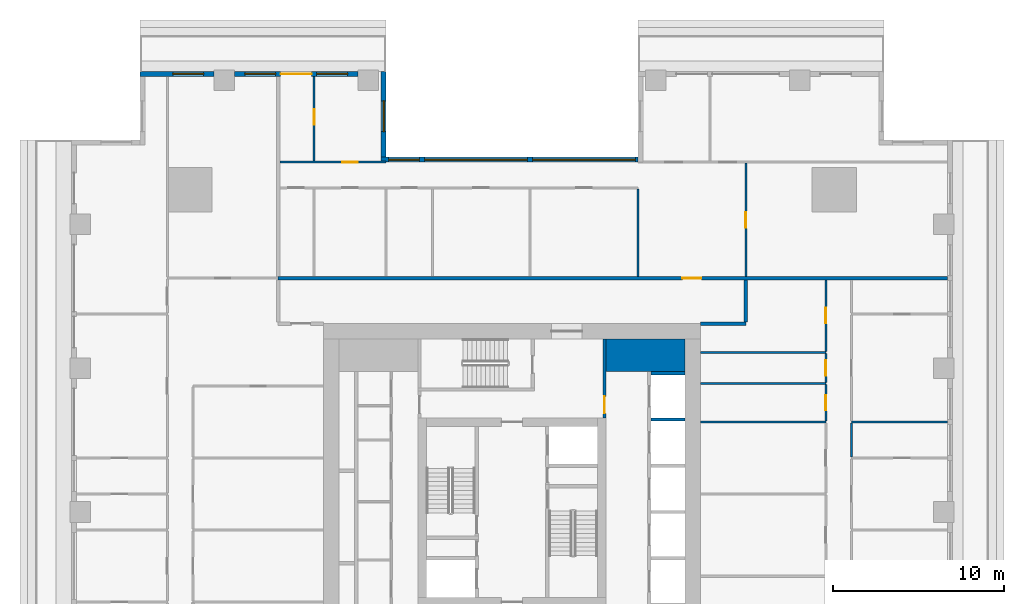
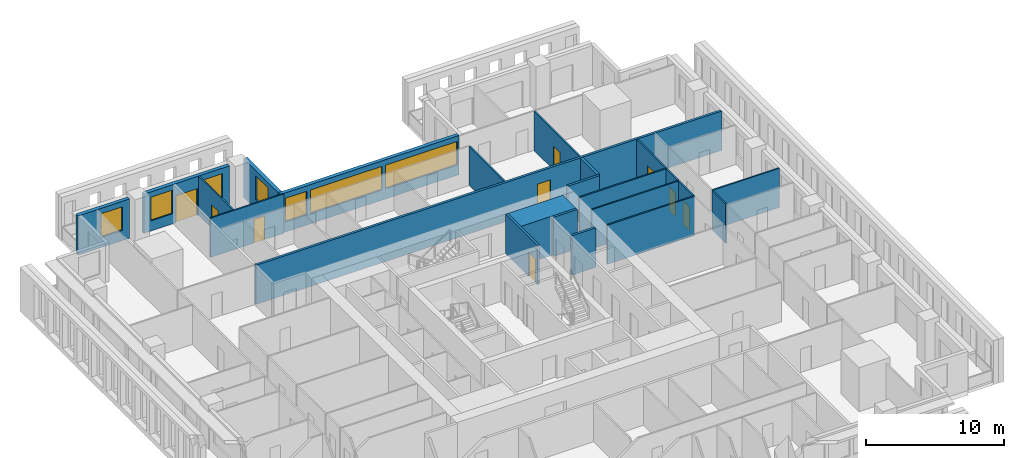
# One storey, part 8 of 16: 23 walls, 9 doors, 7 windows, 16 openings.
"""IFC4 building model written with IfcOpenShell, lengths in metres."""

from ifc_helpers import new_model, si_unit, direction, frame, frame_2d, origin, place, context, subcontext, project, spatial, rectangle, extrude, material, layer, layer_set, type_object, element, fill, save


model = new_model("IFC4")

# Units and contexts
model_context = context("Model", 3, precision=1e-05, world=origin(), true_north=direction((0.0, 1.0)))
body_context = subcontext(model_context, "Body", "Model", "MODEL_VIEW")
ifc_project = project(units=[si_unit("LENGTHUNIT", "METRE"), si_unit("AREAUNIT", "SQUARE_METRE"), si_unit("VOLUMEUNIT", "CUBIC_METRE"), si_unit("PLANEANGLEUNIT", "RADIAN"), si_unit("MASSUNIT", "GRAM", prefix="KILO")], contexts=[model_context])

# Site, building, storey
site_placement = place(None, origin())
site = spatial("IfcSite", under=ifc_project, at=site_placement, CompositionType="ELEMENT")
building_placement = place(site_placement, origin())
building = spatial("IfcBuilding", under=site, at=building_placement, Name="Khepri Terraces", CompositionType="ELEMENT")
storey_placement = place(building_placement, frame((0.0, 0.0, 153.300048828125)))
storey = spatial("IfcBuildingStorey", under=building, at=storey_placement, Name="L36", CompositionType="ELEMENT", Elevation=153.300048828125)

# Walls
ifc_material_1 = material(Name="Concrete C60/75", Category="concrete")
ifc_layer_1 = layer(ifc_material_1, 1.89990234375, Name="Concrete C60/75", Category="concrete")
ifc_layer_set_1 = layer_set([ifc_layer_1], Name="Concrete C60/75")
wall_type_1 = type_object("IfcWallType", Name="Core wall 1900 C60/75", PredefinedType="SHEAR", material=ifc_layer_set_1)
wall_1_placement = place(storey_placement, frame((5.5, 9.14990234375, 0.0), z_axis=(0.0, 0.0, 1.0), x_axis=(1.0, 0.0, 0.0)))
element("IfcWall", 1, at=wall_1_placement, inside=storey, type_object=wall_type_1, Name="Core wall PR04 L36", PredefinedType="SHEAR", context=body_context, shape_type="SweptSolid", body=[
    extrude(rectangle(XDim=4.60009765625, YDim=1.89990234375, at=frame_2d((2.300048828125, 0.0))), origin(), (0.0, 0.0, 1.0), 3.47998046875),
])
ifc_layer_2 = layer(ifc_material_1, 0.199951171875, Name="Concrete C60/75", Category="concrete")
ifc_layer_set_2 = layer_set([ifc_layer_2], Name="Concrete C60/75")
wall_type_2 = type_object("IfcWallType", Name="Core wall 200 C60/75", PredefinedType="SHEAR", material=ifc_layer_set_2)
for number, where, z_axis, x_axis, name in (
    (2, (8.10009765625, 5.39990234375, 0.0), (0.0, 0.0, 1.0), (1.0, 0.0, 0.0), "Core wall SH14 L36"),
    (3, (8.10009765625, 8.10009765625, 0.0), (0.0, 0.0, 1.0), (1.0, 0.0, 0.0), "Core wall SH15 L36"),
):
    element("IfcWall", number, at=place(storey_placement, frame(where, z_axis=z_axis, x_axis=x_axis)), inside=storey, type_object=wall_type_2, Name=name, PredefinedType="SHEAR", context=body_context, shape_type="SweptSolid", body=[
        extrude(rectangle(XDim=2.0, YDim=0.199951171875, at=frame_2d((1.0, 0.0))), origin(), (0.0, 0.0, 1.0), 3.47998046875),
    ])

# Wall, opening, door
ifc_material_2 = material(Name="Fire-rated gypsum board partition")
ifc_layer_3 = layer(ifc_material_2, 0.199951171875, Name="Fire-rated gypsum board partition")
ifc_layer_set_3 = layer_set([ifc_layer_3], Name="Fire-rated gypsum board partition")
wall_type_3 = type_object("IfcWallType", Name="WL-CORE-PART-200", PredefinedType="PARTITIONING", material=ifc_layer_set_3)
wall_2_placement = place(storey_placement, frame((5.39990234375, 5.5, 0.0), z_axis=(0.0, 0.0, 1.0), x_axis=(0.0, 1.0, 0.0)))
wall_2 = element("IfcWall", 4, at=wall_2_placement, inside=storey, type_object=wall_type_3, Name="Core partition PT13 L36", PredefinedType="PARTITIONING", context=body_context, shape_type="SweptSolid", body=[
    extrude(rectangle(XDim=4.60009765625, YDim=0.199951171875, at=frame_2d((2.300048828125, 0.0))), origin(), (0.0, 0.0, 1.0), 3.47998046875),
])
opening_1_placement = place(wall_2_placement, frame((0.25, 0.0, 0.0)))
opening_1 = element("IfcOpeningElement", 5, at=opening_1_placement, cuts=wall_2, Name="Opening L36-C17", PredefinedType="OPENING", context=body_context, shape_type="SweptSolid", body=[
    extrude(rectangle(XDim=1.0, YDim=2.10009765625, at=frame_2d((0.5, 1.050048828125))), frame((0.0, 0.10986328125, 0.0), z_axis=(0.0, -1.0, 0.0), x_axis=(1.0, 0.0, 0.0)), (0.0, 0.0, 1.0), 0.219970703125),
])
ifc_material_3 = material(Name="Painted steel", Category="steel")
door_type_1 = type_object("IfcDoorType", Name="DR-CORE-LOBBY-1000", OperationType="NOTDEFINED", PredefinedType="DOOR", material=ifc_material_3)
door_1_placement = place(opening_1_placement, origin())
door_1 = element("IfcDoor", 6, at=door_1_placement, inside=storey, type_object=door_type_1, Name="Lobby door L36-C17", OperationType="SINGLE_SWING_LEFT", OverallHeight=2.10009765625, OverallWidth=1.0, PredefinedType="DOOR", context=body_context, shape_type="SweptSolid", body=[
    extrude(rectangle(XDim=1.0, YDim=2.10009765625, at=frame_2d((0.5, 1.050048828125))), frame((0.0, 0.02490234375, 0.0), z_axis=(0.0, -1.0, 0.0), x_axis=(1.0, 0.0, 0.0)), (0.0, 0.0, 1.0), 0.050048828125),
])
fill(opening_1, door_1)

# Walls
ifc_material_4 = material(Name="Fire-rated gypsum plasterboard partition, mineral wool")
ifc_layer_4 = layer(ifc_material_4, 0.199951171875, Name="Fire-rated gypsum plasterboard partition, mineral wool")
ifc_layer_set_4 = layer_set([ifc_layer_4], Name="Fire-rated gypsum plasterboard partition, mineral wool")
wall_type_4 = type_object("IfcWallType", Name="WL-CORR-200", PredefinedType="PARTITIONING", material=ifc_layer_set_4)
wall_3_placement = place(storey_placement, frame((11.0, 11.0, 0.0), z_axis=(0.0, 0.0, 1.0), x_axis=(1.0, 0.0, 0.0)))
element("IfcWall", 7, at=wall_3_placement, inside=storey, type_object=wall_type_4, Name="Partition P-076 L36", PredefinedType="PARTITIONING", context=body_context, shape_type="SweptSolid", body=[
    extrude(rectangle(XDim=2.64990234375, YDim=0.199951171875, at=frame_2d((1.324951171875, 0.0))), origin(), (0.0, 0.0, 1.0), 3.47998046875),
])
wall_4_placement = place(storey_placement, frame((13.64990234375, 11.10009765625, 0.0), z_axis=(0.0, 0.0, 1.0), x_axis=(0.0, 1.0, 0.0)))
element("IfcWall", 8, at=wall_4_placement, inside=storey, type_object=wall_type_4, Name="Partition P-078 L36", PredefinedType="PARTITIONING", context=body_context, shape_type="SweptSolid", body=[
    extrude(rectangle(XDim=2.449951171875, YDim=0.199951171875, at=frame_2d((1.22509765625, 0.0))), origin(), (0.0, 0.0, 1.0), 3.47998046875),
])

# Wall, opening, door
wall_5_placement = place(storey_placement, frame((-13.64990234375, 13.64990234375, 0.0), z_axis=(0.0, 0.0, 1.0), x_axis=(1.0, 0.0, 0.0)))
wall_5 = element("IfcWall", 9, at=wall_5_placement, inside=storey, type_object=wall_type_4, Name="Partition P-084 L36", PredefinedType="PARTITIONING", context=body_context, shape_type="SweptSolid", body=[
    extrude(rectangle(XDim=39.06982421875, YDim=0.199951171875, at=frame_2d((19.534912109375, 0.0))), origin(), (0.0, 0.0, 1.0), 3.47998046875),
])
opening_2_placement = place(wall_5_placement, frame((23.60009765625, 0.0, 0.0)))
opening_2 = element("IfcOpeningElement", 10, at=opening_2_placement, cuts=wall_5, Name="Opening D1", PredefinedType="OPENING", context=body_context, shape_type="SweptSolid", body=[
    extrude(rectangle(XDim=1.10009765625, YDim=2.39990234375, at=frame_2d((0.550048828125, 1.199951171875))), frame((0.0, 0.10986328125, 0.0), z_axis=(0.0, -1.0, 0.0), x_axis=(1.0, 0.0, 0.0)), (0.0, 0.0, 1.0), 0.219970703125),
])
ifc_material_5 = material(Name="Solid-core timber door leaf, flat entrance door", Category="wood")
door_type_2 = type_object("IfcDoorType", Name="DR-ENT-1100", OperationType="NOTDEFINED", PredefinedType="DOOR", material=ifc_material_5)
door_2_placement = place(opening_2_placement, origin())
door_2 = element("IfcDoor", 11, at=door_2_placement, inside=storey, type_object=door_type_2, Name="Flat C1 entrance door", OperationType="SINGLE_SWING_RIGHT", OverallHeight=2.39990234375, OverallWidth=1.10009765625, PredefinedType="DOOR", context=body_context, shape_type="SweptSolid", body=[
    extrude(rectangle(XDim=1.10009765625, YDim=2.39990234375, at=frame_2d((0.550048828125, 1.199951171875))), frame((0.0, 0.02490234375, 0.0), z_axis=(0.0, -1.0, 0.0), x_axis=(1.0, 0.0, 0.0)), (0.0, 0.0, 1.0), 0.050048828125),
])
fill(opening_2, door_2)

# Wall, openings, windows
ifc_material_6 = material(Name="Precast concrete C50/60 warm stone", Category="masonry")
ifc_layer_5 = layer(ifc_material_6, 0.300048828125, Name="Precast concrete C50/60 warm stone", Category="masonry")
ifc_layer_set_5 = layer_set([ifc_layer_5], Name="Precast concrete C50/60 warm stone")
wall_type_5 = type_object("IfcWallType", Name="WL-EXT-PRECAST-300", PredefinedType="STANDARD", material=ifc_layer_set_5)
wall_6_placement = place(storey_placement, frame((7.35009765625, 20.570068359375, 0.0), z_axis=(0.0, 0.0, 1.0), x_axis=(-1.0, 0.0, 0.0)))
wall_6 = element("IfcWall", 12, at=wall_6_placement, inside=storey, type_object=wall_type_5, Name="External wall L36 N", PredefinedType="STANDARD", context=body_context, shape_type="SweptSolid", body=[
    extrude(rectangle(XDim=15.0, YDim=0.300048828125, at=frame_2d((7.5, 0.0))), origin(), (0.0, 0.0, 1.0), 3.47998046875),
])
opening_3_placement = place(wall_6_placement, frame((0.14990234375, 0.0, 0.89990234375)))
opening_3 = element("IfcOpeningElement", 13, at=opening_3_placement, cuts=wall_6, Name="Opening W3", PredefinedType="OPENING", context=body_context, shape_type="SweptSolid", body=[
    extrude(rectangle(XDim=6.0, YDim=2.10009765625, at=frame_2d((3.0, 1.050048828125))), frame((0.0, 0.16015625, 0.0), z_axis=(0.0, -1.0, 0.0), x_axis=(1.0, 0.0, 0.0)), (0.0, 0.0, 1.0), 0.320068359375),
])
opening_4_placement = place(wall_6_placement, frame((6.449951171875, 0.0, 0.89990234375)))
opening_4 = element("IfcOpeningElement", 14, at=opening_4_placement, cuts=wall_6, Name="Opening W3", PredefinedType="OPENING", context=body_context, shape_type="SweptSolid", body=[
    extrude(rectangle(XDim=6.0, YDim=2.10009765625, at=frame_2d((3.0, 1.050048828125))), frame((0.0, 0.16015625, 0.0), z_axis=(0.0, -1.0, 0.0), x_axis=(1.0, 0.0, 0.0)), (0.0, 0.0, 1.0), 0.320068359375),
])
opening_5_placement = place(wall_6_placement, frame((12.75, 0.0, 0.89990234375)))
opening_5 = element("IfcOpeningElement", 15, at=opening_5_placement, cuts=wall_6, Name="Opening W1", PredefinedType="OPENING", context=body_context, shape_type="SweptSolid", body=[
    extrude(rectangle(XDim=1.800048828125, YDim=2.10009765625, at=frame_2d((0.89990234375, 1.050048828125))), frame((0.0, 0.16015625, 0.0), z_axis=(0.0, -1.0, 0.0), x_axis=(1.0, 0.0, 0.0)), (0.0, 0.0, 1.0), 0.320068359375),
])
ifc_material_7 = material(Name="Clear glass", Category="glass")
window_type_1 = type_object("IfcWindowType", Name="WIN-RES-1800x2100", PartitioningType="SINGLE_PANEL", PredefinedType="WINDOW", material=ifc_material_7)
window_1_placement = place(opening_5_placement, origin())
window_1 = element("IfcWindow", 16, at=window_1_placement, inside=storey, type_object=window_type_1, Name="Window L36 N", OverallHeight=2.10009765625, OverallWidth=1.800048828125, PartitioningType="SINGLE_PANEL", PredefinedType="WINDOW", context=body_context, shape_type="SweptSolid", body=[
    extrude(rectangle(XDim=1.800048828125, YDim=2.10009765625, at=frame_2d((0.89990234375, 1.050048828125))), frame((0.0, 0.030029296875, 0.0), z_axis=(0.0, -1.0, 0.0), x_axis=(1.0, 0.0, 0.0)), (0.0, 0.0, 1.0), 0.06005859375),
])
fill(opening_5, window_1)
window_type_2 = type_object("IfcWindowType", Name="WIN-RES-6000x2100", PartitioningType="SINGLE_PANEL", PredefinedType="WINDOW", material=ifc_material_7)
window_2_placement = place(opening_3_placement, origin())
window_2 = element("IfcWindow", 17, at=window_2_placement, inside=storey, type_object=window_type_2, Name="Window L36 N", OverallHeight=2.10009765625, OverallWidth=6.0, PartitioningType="SINGLE_PANEL", PredefinedType="WINDOW", context=body_context, shape_type="SweptSolid", body=[
    extrude(rectangle(XDim=6.0, YDim=2.10009765625, at=frame_2d((3.0, 1.050048828125))), frame((0.0, 0.030029296875, 0.0), z_axis=(0.0, -1.0, 0.0), x_axis=(1.0, 0.0, 0.0)), (0.0, 0.0, 1.0), 0.06005859375),
])
fill(opening_3, window_2)
window_3_placement = place(opening_4_placement, origin())
window_3 = element("IfcWindow", 18, at=window_3_placement, inside=storey, type_object=window_type_2, Name="Window L36 N", OverallHeight=2.10009765625, OverallWidth=6.0, PartitioningType="SINGLE_PANEL", PredefinedType="WINDOW", context=body_context, shape_type="SweptSolid", body=[
    extrude(rectangle(XDim=6.0, YDim=2.10009765625, at=frame_2d((3.0, 1.050048828125))), frame((0.0, 0.030029296875, 0.0), z_axis=(0.0, -1.0, 0.0), x_axis=(1.0, 0.0, 0.0)), (0.0, 0.0, 1.0), 0.06005859375),
])
fill(opening_4, window_3)

# Wall, opening, window
wall_7_placement = place(storey_placement, frame((-7.5, 20.719970703125, 0.0), z_axis=(0.0, 0.0, 1.0), x_axis=(0.0, 1.0, 0.0)))
wall_7 = element("IfcWall", 19, at=wall_7_placement, inside=storey, type_object=wall_type_5, Name="External wall L36 E", PredefinedType="STANDARD", context=body_context, shape_type="SweptSolid", body=[
    extrude(rectangle(XDim=5.0, YDim=0.300048828125, at=frame_2d((2.5, 0.0))), origin(), (0.0, 0.0, 1.0), 3.47998046875),
])
opening_6_placement = place(wall_7_placement, frame((1.47998046875, 0.0, 0.89990234375)))
opening_6 = element("IfcOpeningElement", 20, at=opening_6_placement, cuts=wall_7, Name="Opening W1", PredefinedType="OPENING", context=body_context, shape_type="SweptSolid", body=[
    extrude(rectangle(XDim=1.800048828125, YDim=2.10009765625, at=frame_2d((0.89990234375, 1.050048828125))), frame((0.0, 0.16015625, 0.0), z_axis=(0.0, -1.0, 0.0), x_axis=(1.0, 0.0, 0.0)), (0.0, 0.0, 1.0), 0.320068359375),
])
window_4_placement = place(opening_6_placement, origin())
window_4 = element("IfcWindow", 21, at=window_4_placement, inside=storey, type_object=window_type_1, Name="Window L36 E", OverallHeight=2.10009765625, OverallWidth=1.800048828125, PartitioningType="SINGLE_PANEL", PredefinedType="WINDOW", context=body_context, shape_type="SweptSolid", body=[
    extrude(rectangle(XDim=1.800048828125, YDim=2.10009765625, at=frame_2d((0.89990234375, 1.050048828125))), frame((0.0, 0.030029296875, 0.0), z_axis=(0.0, -1.0, 0.0), x_axis=(1.0, 0.0, 0.0)), (0.0, 0.0, 1.0), 0.06005859375),
])
fill(opening_6, window_4)

# Wall, openings, door, windows
wall_8_placement = place(storey_placement, frame((-9.0, 25.570068359375, 0.0), z_axis=(0.0, 0.0, 1.0), x_axis=(-1.0, 0.0, 0.0)))
wall_8 = element("IfcWall", 22, at=wall_8_placement, inside=storey, type_object=wall_type_5, Name="External wall L36 N", PredefinedType="STANDARD", context=body_context, shape_type="SweptSolid", body=[
    extrude(rectangle(XDim=7.199951171875, YDim=0.300048828125, at=frame_2d((3.60009765625, 0.0))), origin(), (0.0, 0.0, 1.0), 3.47998046875),
])
opening_7_placement = place(wall_8_placement, frame((0.60009765625, 0.0, 0.89990234375)))
opening_7 = element("IfcOpeningElement", 23, at=opening_7_placement, cuts=wall_8, Name="Opening W1", PredefinedType="OPENING", context=body_context, shape_type="SweptSolid", body=[
    extrude(rectangle(XDim=1.800048828125, YDim=2.10009765625, at=frame_2d((0.89990234375, 1.050048828125))), frame((0.0, 0.16015625, 0.0), z_axis=(0.0, -1.0, 0.0), x_axis=(1.0, 0.0, 0.0)), (0.0, 0.0, 1.0), 0.320068359375),
])
opening_8_placement = place(wall_8_placement, frame((2.699951171875, 0.0, 0.0)))
opening_8 = element("IfcOpeningElement", 24, at=opening_8_placement, cuts=wall_8, Name="Opening ED-L36-08", PredefinedType="OPENING", context=body_context, shape_type="SweptSolid", body=[
    extrude(rectangle(XDim=1.800048828125, YDim=2.39990234375, at=frame_2d((0.89990234375, 1.199951171875))), frame((0.0, 0.16015625, 0.0), z_axis=(0.0, -1.0, 0.0), x_axis=(1.0, 0.0, 0.0)), (0.0, 0.0, 1.0), 0.320068359375),
])
opening_9_placement = place(wall_8_placement, frame((4.800048828125, 0.0, 0.89990234375)))
opening_9 = element("IfcOpeningElement", 25, at=opening_9_placement, cuts=wall_8, Name="Opening W1", PredefinedType="OPENING", context=body_context, shape_type="SweptSolid", body=[
    extrude(rectangle(XDim=1.800048828125, YDim=2.10009765625, at=frame_2d((0.89990234375, 1.050048828125))), frame((0.0, 0.16015625, 0.0), z_axis=(0.0, -1.0, 0.0), x_axis=(1.0, 0.0, 0.0)), (0.0, 0.0, 1.0), 0.320068359375),
])
ifc_material_8 = material(Name="Anodised aluminium bronze glazed door", Category="aluminium")
door_type_3 = type_object("IfcDoorType", Name="DR-BAL-SLIDE-1800x2400", OperationType="NOTDEFINED", PredefinedType="DOOR", material=ifc_material_8)
door_3_placement = place(opening_8_placement, origin())
door_3 = element("IfcDoor", 26, at=door_3_placement, inside=storey, type_object=door_type_3, Name="Balcony door L36 N", OperationType="SLIDING_TO_RIGHT", OverallHeight=2.39990234375, OverallWidth=1.800048828125, PredefinedType="DOOR", context=body_context, shape_type="SweptSolid", body=[
    extrude(rectangle(XDim=1.800048828125, YDim=2.39990234375, at=frame_2d((0.89990234375, 1.199951171875))), frame((0.0, 0.02490234375, 0.0), z_axis=(0.0, -1.0, 0.0), x_axis=(1.0, 0.0, 0.0)), (0.0, 0.0, 1.0), 0.050048828125),
])
fill(opening_8, door_3)
window_5_placement = place(opening_7_placement, origin())
window_5 = element("IfcWindow", 27, at=window_5_placement, inside=storey, type_object=window_type_1, Name="Window L36 N", OverallHeight=2.10009765625, OverallWidth=1.800048828125, PartitioningType="SINGLE_PANEL", PredefinedType="WINDOW", context=body_context, shape_type="SweptSolid", body=[
    extrude(rectangle(XDim=1.800048828125, YDim=2.10009765625, at=frame_2d((0.89990234375, 1.050048828125))), frame((0.0, 0.030029296875, 0.0), z_axis=(0.0, -1.0, 0.0), x_axis=(1.0, 0.0, 0.0)), (0.0, 0.0, 1.0), 0.06005859375),
])
fill(opening_7, window_5)
window_6_placement = place(opening_9_placement, origin())
window_6 = element("IfcWindow", 28, at=window_6_placement, inside=storey, type_object=window_type_1, Name="Window L36 N", OverallHeight=2.10009765625, OverallWidth=1.800048828125, PartitioningType="SINGLE_PANEL", PredefinedType="WINDOW", context=body_context, shape_type="SweptSolid", body=[
    extrude(rectangle(XDim=1.800048828125, YDim=2.10009765625, at=frame_2d((0.89990234375, 1.050048828125))), frame((0.0, 0.030029296875, 0.0), z_axis=(0.0, -1.0, 0.0), x_axis=(1.0, 0.0, 0.0)), (0.0, 0.0, 1.0), 0.06005859375),
])
fill(opening_9, window_6)

# Wall, opening, window
wall_9_placement = place(storey_placement, frame((-17.39990234375, 25.570068359375, 0.0), z_axis=(0.0, 0.0, 1.0), x_axis=(-1.0, 0.0, 0.0)))
wall_9 = element("IfcWall", 29, at=wall_9_placement, inside=storey, type_object=wall_type_5, Name="External wall L36 N", PredefinedType="STANDARD", context=body_context, shape_type="SweptSolid", body=[
    extrude(rectangle(XDim=4.320068359375, YDim=0.300048828125, at=frame_2d((2.16015625, 0.0))), origin(), (0.0, 0.0, 1.0), 3.47998046875),
])
opening_10_placement = place(wall_9_placement, frame((0.60009765625, 0.0, 0.89990234375)))
opening_10 = element("IfcOpeningElement", 30, at=opening_10_placement, cuts=wall_9, Name="Opening W1", PredefinedType="OPENING", context=body_context, shape_type="SweptSolid", body=[
    extrude(rectangle(XDim=1.800048828125, YDim=2.10009765625, at=frame_2d((0.89990234375, 1.050048828125))), frame((0.0, 0.16015625, 0.0), z_axis=(0.0, -1.0, 0.0), x_axis=(1.0, 0.0, 0.0)), (0.0, 0.0, 1.0), 0.320068359375),
])
window_7_placement = place(opening_10_placement, origin())
window_7 = element("IfcWindow", 31, at=window_7_placement, inside=storey, type_object=window_type_1, Name="Window L36 N", OverallHeight=2.10009765625, OverallWidth=1.800048828125, PartitioningType="SINGLE_PANEL", PredefinedType="WINDOW", context=body_context, shape_type="SweptSolid", body=[
    extrude(rectangle(XDim=1.800048828125, YDim=2.10009765625, at=frame_2d((0.89990234375, 1.050048828125))), frame((0.0, 0.030029296875, 0.0), z_axis=(0.0, -1.0, 0.0), x_axis=(1.0, 0.0, 0.0)), (0.0, 0.0, 1.0), 0.06005859375),
])
fill(opening_10, window_7)

# Walls
ifc_material_9 = material(Name="Gypsum plasterboard partition")
ifc_layer_6 = layer(ifc_material_9, 0.1201171875, Name="Gypsum plasterboard partition")
ifc_layer_set_6 = layer_set([ifc_layer_6], Name="Gypsum plasterboard partition")
wall_type_6 = type_object("IfcWallType", Name="WL-PART-120", PredefinedType="PARTITIONING", material=ifc_layer_set_6)
wall_10_placement = place(storey_placement, frame((19.820068359375, 3.2099609375, 0.0), z_axis=(0.0, 0.0, 1.0), x_axis=(0.0, 1.0, 0.0)))
element("IfcWall", 32, at=wall_10_placement, inside=storey, type_object=wall_type_6, Name="Partition P-065 L36", PredefinedType="PARTITIONING", context=body_context, shape_type="SweptSolid", body=[
    extrude(rectangle(XDim=1.97998046875, YDim=0.1201171875, at=frame_2d((0.989990234375, 0.0))), origin(), (0.0, 0.0, 1.0), 3.47998046875),
])
wall_11_placement = place(storey_placement, frame((11.0, 5.25, 0.0), z_axis=(0.0, 0.0, 1.0), x_axis=(1.0, 0.0, 0.0)))
element("IfcWall", 33, at=wall_11_placement, inside=storey, type_object=wall_type_6, Name="Partition P-066 L36", PredefinedType="PARTITIONING", context=body_context, shape_type="SweptSolid", body=[
    extrude(rectangle(XDim=7.320068359375, YDim=0.1201171875, at=frame_2d((3.66015625, 0.0))), origin(), (0.0, 0.0, 1.0), 3.47998046875),
])
wall_12_placement = place(storey_placement, frame((19.820068359375, 5.25, 0.0), z_axis=(0.0, 0.0, 1.0), x_axis=(1.0, 0.0, 0.0)))
element("IfcWall", 34, at=wall_12_placement, inside=storey, type_object=wall_type_6, Name="Partition P-067 L36", PredefinedType="PARTITIONING", context=body_context, shape_type="SweptSolid", body=[
    extrude(rectangle(XDim=5.599853515625, YDim=0.1201171875, at=frame_2d((2.7998046875, 0.0))), origin(), (0.0, 0.0, 1.0), 3.47998046875),
])

# Wall, opening, door
wall_13_placement = place(storey_placement, frame((18.320068359375, 5.31005859375, 0.0), z_axis=(0.0, 0.0, 1.0), x_axis=(0.0, 1.0, 0.0)))
wall_13 = element("IfcWall", 35, at=wall_13_placement, inside=storey, type_object=wall_type_6, Name="Partition P-068 L36", PredefinedType="PARTITIONING", context=body_context, shape_type="SweptSolid", body=[
    extrude(rectangle(XDim=2.1298828125, YDim=0.1201171875, at=frame_2d((1.06494140625, 0.0))), origin(), (0.0, 0.0, 1.0), 3.47998046875),
])
opening_11_placement = place(wall_13_placement, frame((0.614990234375, 0.0, 0.0)))
opening_11 = element("IfcOpeningElement", 36, at=opening_11_placement, cuts=wall_13, Name="Opening D4", PredefinedType="OPENING", context=body_context, shape_type="SweptSolid", body=[
    extrude(rectangle(XDim=0.89990234375, YDim=2.10009765625, at=frame_2d((0.449951171875, 1.050048828125))), frame((0.0, 0.070068359375, 0.0), z_axis=(0.0, -1.0, 0.0), x_axis=(1.0, 0.0, 0.0)), (0.0, 0.0, 1.0), 0.14013671875),
])
ifc_material_10 = material(Name="Timber door leaf, moisture resistant", Category="wood")
door_type_4 = type_object("IfcDoorType", Name="DR-WET-900", OperationType="NOTDEFINED", PredefinedType="DOOR", material=ifc_material_10)
door_4_placement = place(opening_11_placement, origin())
door_4 = element("IfcDoor", 37, at=door_4_placement, inside=storey, type_object=door_type_4, Name="Door Powder Room", OperationType="SINGLE_SWING_RIGHT", OverallHeight=2.10009765625, OverallWidth=0.89990234375, PredefinedType="DOOR", context=body_context, shape_type="SweptSolid", body=[
    extrude(rectangle(XDim=0.89990234375, YDim=2.10009765625, at=frame_2d((0.449951171875, 1.050048828125))), frame((0.0, 0.02490234375, 0.0), z_axis=(0.0, -1.0, 0.0), x_axis=(1.0, 0.0, 0.0)), (0.0, 0.0, 1.0), 0.050048828125),
])
fill(opening_11, door_4)

# Wall
wall_14_placement = place(storey_placement, frame((11.0, 7.5, 0.0), z_axis=(0.0, 0.0, 1.0), x_axis=(1.0, 0.0, 0.0)))
element("IfcWall", 38, at=wall_14_placement, inside=storey, type_object=wall_type_6, Name="Partition P-071 L36", PredefinedType="PARTITIONING", context=body_context, shape_type="SweptSolid", body=[
    extrude(rectangle(XDim=7.320068359375, YDim=0.1201171875, at=frame_2d((3.66015625, 0.0))), origin(), (0.0, 0.0, 1.0), 3.47998046875),
])

# Wall, opening, door
wall_15_placement = place(storey_placement, frame((18.320068359375, 7.56005859375, 0.0), z_axis=(0.0, 0.0, 1.0), x_axis=(0.0, 1.0, 0.0)))
wall_15 = element("IfcWall", 39, at=wall_15_placement, inside=storey, type_object=wall_type_6, Name="Partition P-072 L36", PredefinedType="PARTITIONING", context=body_context, shape_type="SweptSolid", body=[
    extrude(rectangle(XDim=1.679931640625, YDim=0.1201171875, at=frame_2d((0.83984375, 0.0))), origin(), (0.0, 0.0, 1.0), 3.47998046875),
])
opening_12_placement = place(wall_15_placement, frame((0.389892578125, 0.0, 0.0)))
opening_12 = element("IfcOpeningElement", 40, at=opening_12_placement, cuts=wall_15, Name="Opening D4", PredefinedType="OPENING", context=body_context, shape_type="SweptSolid", body=[
    extrude(rectangle(XDim=0.89990234375, YDim=2.10009765625, at=frame_2d((0.449951171875, 1.050048828125))), frame((0.0, 0.070068359375, 0.0), z_axis=(0.0, -1.0, 0.0), x_axis=(1.0, 0.0, 0.0)), (0.0, 0.0, 1.0), 0.14013671875),
])
door_5_placement = place(opening_12_placement, origin())
door_5 = element("IfcDoor", 41, at=door_5_placement, inside=storey, type_object=door_type_4, Name="Door Guest Bathroom", OperationType="SINGLE_SWING_RIGHT", OverallHeight=2.10009765625, OverallWidth=0.89990234375, PredefinedType="DOOR", context=body_context, shape_type="SweptSolid", body=[
    extrude(rectangle(XDim=0.89990234375, YDim=2.10009765625, at=frame_2d((0.449951171875, 1.050048828125))), frame((0.0, 0.02490234375, 0.0), z_axis=(0.0, -1.0, 0.0), x_axis=(1.0, 0.0, 0.0)), (0.0, 0.0, 1.0), 0.050048828125),
])
fill(opening_12, door_5)

# Wall
wall_16_placement = place(storey_placement, frame((11.0, 9.300048828125, 0.0), z_axis=(0.0, 0.0, 1.0), x_axis=(1.0, 0.0, 0.0)))
element("IfcWall", 42, at=wall_16_placement, inside=storey, type_object=wall_type_6, Name="Partition P-073 L36", PredefinedType="PARTITIONING", context=body_context, shape_type="SweptSolid", body=[
    extrude(rectangle(XDim=7.320068359375, YDim=0.1201171875, at=frame_2d((3.66015625, 0.0))), origin(), (0.0, 0.0, 1.0), 3.47998046875),
])

# Wall, opening, door
wall_17_placement = place(storey_placement, frame((18.320068359375, 9.360107421875, 0.0), z_axis=(0.0, 0.0, 1.0), x_axis=(0.0, 1.0, 0.0)))
wall_17 = element("IfcWall", 43, at=wall_17_placement, inside=storey, type_object=wall_type_6, Name="Partition P-074 L36", PredefinedType="PARTITIONING", context=body_context, shape_type="SweptSolid", body=[
    extrude(rectangle(XDim=4.18994140625, YDim=0.1201171875, at=frame_2d((2.094970703125, 0.0))), origin(), (0.0, 0.0, 1.0), 3.47998046875),
])
opening_13_placement = place(wall_17_placement, frame((1.6650390625, 0.0, 0.0)))
opening_13 = element("IfcOpeningElement", 44, at=opening_13_placement, cuts=wall_17, Name="Opening D3", PredefinedType="OPENING", context=body_context, shape_type="SweptSolid", body=[
    extrude(rectangle(XDim=0.89990234375, YDim=2.10009765625, at=frame_2d((0.449951171875, 1.050048828125))), frame((0.0, 0.070068359375, 0.0), z_axis=(0.0, -1.0, 0.0), x_axis=(1.0, 0.0, 0.0)), (0.0, 0.0, 1.0), 0.14013671875),
])
ifc_material_11 = material(Name="Timber door leaf", Category="wood")
door_type_5 = type_object("IfcDoorType", Name="DR-INT-900", OperationType="NOTDEFINED", PredefinedType="DOOR", material=ifc_material_11)
door_6_placement = place(opening_13_placement, origin())
door_6 = element("IfcDoor", 45, at=door_6_placement, inside=storey, type_object=door_type_5, Name="Door Library", OperationType="SINGLE_SWING_RIGHT", OverallHeight=2.10009765625, OverallWidth=0.89990234375, PredefinedType="DOOR", context=body_context, shape_type="SweptSolid", body=[
    extrude(rectangle(XDim=0.89990234375, YDim=2.10009765625, at=frame_2d((0.449951171875, 1.050048828125))), frame((0.0, 0.02490234375, 0.0), z_axis=(0.0, -1.0, 0.0), x_axis=(1.0, 0.0, 0.0)), (0.0, 0.0, 1.0), 0.050048828125),
])
fill(opening_13, door_6)

# Wall
wall_18_placement = place(storey_placement, frame((7.35009765625, 13.75, 0.0), z_axis=(0.0, 0.0, 1.0), x_axis=(0.0, 1.0, 0.0)))
element("IfcWall", 46, at=wall_18_placement, inside=storey, type_object=wall_type_6, Name="Partition P-091 L36", PredefinedType="PARTITIONING", context=body_context, shape_type="SweptSolid", body=[
    extrude(rectangle(XDim=5.110107421875, YDim=0.1201171875, at=frame_2d((2.55517578125, 0.0))), origin(), (0.0, 0.0, 1.0), 3.47998046875),
])

# Wall, opening, door
wall_19_placement = place(storey_placement, frame((13.64990234375, 13.75, 0.0), z_axis=(0.0, 0.0, 1.0), x_axis=(0.0, 1.0, 0.0)))
wall_19 = element("IfcWall", 47, at=wall_19_placement, inside=storey, type_object=wall_type_6, Name="Partition P-092 L36", PredefinedType="PARTITIONING", context=body_context, shape_type="SweptSolid", body=[
    extrude(rectangle(XDim=6.610107421875, YDim=0.1201171875, at=frame_2d((3.30517578125, 0.0))), origin(), (0.0, 0.0, 1.0), 3.47998046875),
])
opening_14_placement = place(wall_19_placement, frame((2.8349609375, 0.0, 0.0)))
opening_14 = element("IfcOpeningElement", 48, at=opening_14_placement, cuts=wall_19, Name="Opening D3", PredefinedType="OPENING", context=body_context, shape_type="SweptSolid", body=[
    extrude(rectangle(XDim=0.89990234375, YDim=2.10009765625, at=frame_2d((0.449951171875, 1.050048828125))), frame((0.0, 0.070068359375, 0.0), z_axis=(0.0, -1.0, 0.0), x_axis=(1.0, 0.0, 0.0)), (0.0, 0.0, 1.0), 0.14013671875),
])
door_7_placement = place(opening_14_placement, frame((0.89990234375, 0.0, 0.0), z_axis=(0.0, 0.0, 1.0), x_axis=(-1.0, 0.0, 0.0)))
door_7 = element("IfcDoor", 49, at=door_7_placement, inside=storey, type_object=door_type_5, Name="Door Home Cinema", OperationType="SINGLE_SWING_RIGHT", OverallHeight=2.10009765625, OverallWidth=0.89990234375, PredefinedType="DOOR", context=body_context, shape_type="SweptSolid", body=[
    extrude(rectangle(XDim=0.89990234375, YDim=2.10009765625, at=frame_2d((0.449951171875, 1.050048828125))), frame((0.0, 0.02490234375, 0.0), z_axis=(0.0, -1.0, 0.0), x_axis=(1.0, 0.0, 0.0)), (0.0, 0.0, 1.0), 0.050048828125),
])
fill(opening_14, door_7)

wall_20_placement = place(storey_placement, frame((-13.550048828125, 20.419921875, 0.0), z_axis=(0.0, 0.0, 1.0), x_axis=(1.0, 0.0, 0.0)))
wall_20 = element("IfcWall", 50, at=wall_20_placement, inside=storey, type_object=wall_type_6, Name="Partition P-094 L36", PredefinedType="PARTITIONING", context=body_context, shape_type="SweptSolid", body=[
    extrude(rectangle(XDim=6.199951171875, YDim=0.1201171875, at=frame_2d((3.10009765625, 0.0))), origin(), (0.0, 0.0, 1.0), 3.47998046875),
])
opening_15_placement = place(wall_20_placement, frame((3.64990234375, 0.0, 0.0)))
opening_15 = element("IfcOpeningElement", 51, at=opening_15_placement, cuts=wall_20, Name="Opening D3", PredefinedType="OPENING", context=body_context, shape_type="SweptSolid", body=[
    extrude(rectangle(XDim=0.89990234375, YDim=2.10009765625, at=frame_2d((0.449951171875, 1.050048828125))), frame((0.0, 0.070068359375, 0.0), z_axis=(0.0, -1.0, 0.0), x_axis=(1.0, 0.0, 0.0)), (0.0, 0.0, 1.0), 0.14013671875),
])
door_8_placement = place(opening_15_placement, origin())
door_8 = element("IfcDoor", 52, at=door_8_placement, inside=storey, type_object=door_type_5, Name="Door Bedroom", OperationType="SINGLE_SWING_RIGHT", OverallHeight=2.10009765625, OverallWidth=0.89990234375, PredefinedType="DOOR", context=body_context, shape_type="SweptSolid", body=[
    extrude(rectangle(XDim=0.89990234375, YDim=2.10009765625, at=frame_2d((0.449951171875, 1.050048828125))), frame((0.0, 0.02490234375, 0.0), z_axis=(0.0, -1.0, 0.0), x_axis=(1.0, 0.0, 0.0)), (0.0, 0.0, 1.0), 0.050048828125),
])
fill(opening_15, door_8)

wall_21_placement = place(storey_placement, frame((-11.550048828125, 20.47998046875, 0.0), z_axis=(0.0, 0.0, 1.0), x_axis=(0.0, 1.0, 0.0)))
wall_21 = element("IfcWall", 53, at=wall_21_placement, inside=storey, type_object=wall_type_6, Name="Partition P-096 L36", PredefinedType="PARTITIONING", context=body_context, shape_type="SweptSolid", body=[
    extrude(rectangle(XDim=4.93994140625, YDim=0.1201171875, at=frame_2d((2.469970703125, 0.0))), origin(), (0.0, 0.0, 1.0), 3.47998046875),
])
opening_16_placement = place(wall_21_placement, frame((2.139892578125, 0.0, 0.0)))
opening_16 = element("IfcOpeningElement", 54, at=opening_16_placement, cuts=wall_21, Name="Opening D4", PredefinedType="OPENING", context=body_context, shape_type="SweptSolid", body=[
    extrude(rectangle(XDim=0.89990234375, YDim=2.10009765625, at=frame_2d((0.449951171875, 1.050048828125))), frame((0.0, 0.070068359375, 0.0), z_axis=(0.0, -1.0, 0.0), x_axis=(1.0, 0.0, 0.0)), (0.0, 0.0, 1.0), 0.14013671875),
])
door_9_placement = place(opening_16_placement, origin())
door_9 = element("IfcDoor", 55, at=door_9_placement, inside=storey, type_object=door_type_4, Name="Door Bathroom", OperationType="SINGLE_SWING_RIGHT", OverallHeight=2.10009765625, OverallWidth=0.89990234375, PredefinedType="DOOR", context=body_context, shape_type="SweptSolid", body=[
    extrude(rectangle(XDim=0.89990234375, YDim=2.10009765625, at=frame_2d((0.449951171875, 1.050048828125))), frame((0.0, 0.02490234375, 0.0), z_axis=(0.0, -1.0, 0.0), x_axis=(1.0, 0.0, 0.0)), (0.0, 0.0, 1.0), 0.050048828125),
])
fill(opening_16, door_9)

save(model, "model.ifc")
